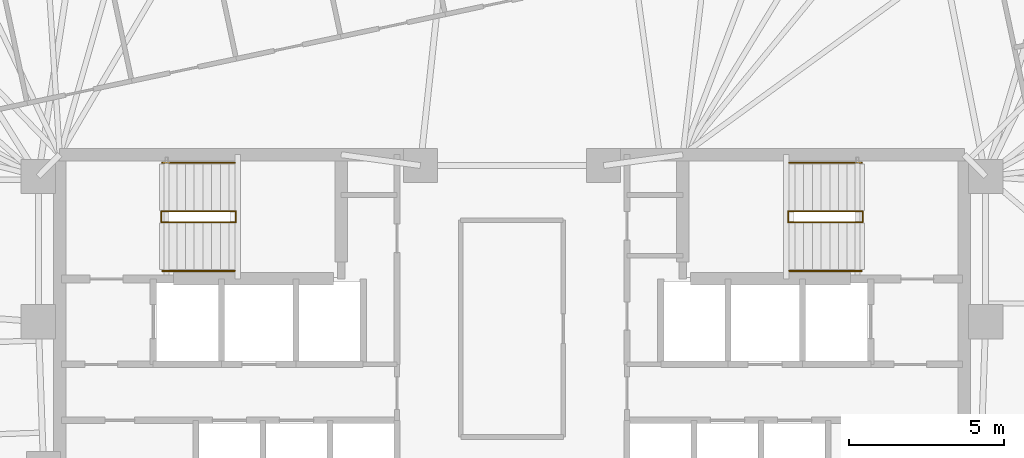
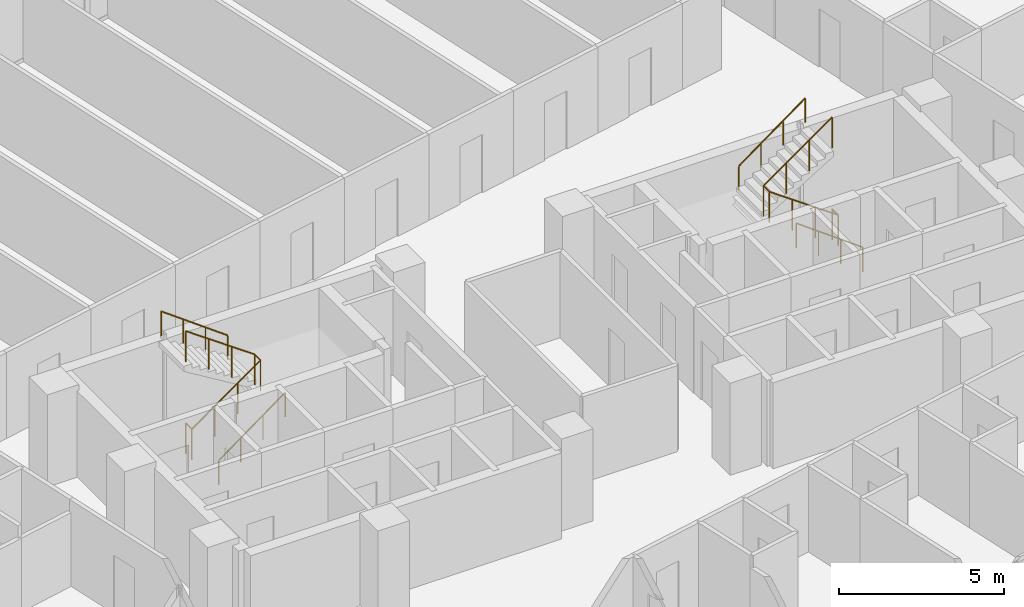
# One storey, part 21 of 21: 6 railings.
"""IFC4 building model written with IfcOpenShell, lengths in metres."""

from ifc_helpers import new_model, si_unit, direction, frame, origin, origin_2d, place, context, subcontext, project, spatial, circle, extrude, material, type_object, element, save


model = new_model("IFC4")

# Units and contexts
model_context = context("Model", 3, precision=1e-05, world=origin(), true_north=direction((0.0, 1.0)))
body_context = subcontext(model_context, "Body", "Model", "MODEL_VIEW")
ifc_project = project(units=[si_unit("LENGTHUNIT", "METRE"), si_unit("AREAUNIT", "SQUARE_METRE"), si_unit("VOLUMEUNIT", "CUBIC_METRE"), si_unit("PLANEANGLEUNIT", "RADIAN"), si_unit("MASSUNIT", "GRAM", prefix="KILO")], contexts=[model_context])

# Site, building, storey
site_placement = place(None, origin())
site = spatial("IfcSite", under=ifc_project, at=site_placement, CompositionType="ELEMENT")
building_placement = place(site_placement, origin())
building = spatial("IfcBuilding", under=site, at=building_placement, Name="Menara Jurai Vektor", CompositionType="ELEMENT")
storey_placement = place(building_placement, frame((0.0, 0.0, 168.39990234375)))
storey = spatial("IfcBuildingStorey", under=building, at=storey_placement, Name="L43", CompositionType="ELEMENT", Elevation=168.39990234375)

# Railings
ifc_material_1 = material(Name="Painted Galvanised Steel Balustrade", Category="steel")
railing_type_1 = type_object("IfcRailingType", Name="RAIL-STAIR-GUARD", PredefinedType="GUARDRAIL", material=ifc_material_1)
railing_1_placement = place(storey_placement, frame((-11.2900390625, 3.780029296875, 0.0)))
element("IfcRailing", 1, at=railing_1_placement, inside=storey, type_object=railing_type_1, Name="ST1 Stair Guardrail 1 L43", PredefinedType="GUARDRAIL", context=body_context, shape_type="SweptSolid", body=[
    extrude(circle(Radius=0.02392578125, at=origin_2d()), frame((0.0, 0.0, 1.1259765625), z_axis=(0.0, -1.0, 0.0), x_axis=(1.0, 0.0, 0.0)), (0.0, 0.0, 1.0), 0.360107421875),
    extrude(circle(Radius=0.02392578125, at=origin_2d()), frame((0.0, -0.360107421875, 1.1259765625), z_axis=(0.816009799251, 0.0, 0.57803806754), x_axis=(0.0, 1.0, 0.0)), (0.0, 0.0, 1.0), 2.94140625),
    extrude(circle(Radius=0.02392578125, at=origin_2d()), frame((2.400146484375, -0.360107421875, 2.826171875), z_axis=(0.0, 1.0, 0.0), x_axis=(-1.0, 0.0, 0.0)), (0.0, 0.0, 1.0), 0.360107421875),
    extrude(circle(Radius=0.02392578125, at=origin_2d()), frame((2.400146484375, 0.0, 2.826171875), z_axis=(-0.816048950856, 0.0, 0.577982793694), x_axis=(0.0, -1.0, 0.0)), (0.0, 0.0, 1.0), 2.941162109375),
    extrude(circle(Radius=0.02099609375, at=origin_2d()), origin(), (0.0, 0.0, 1.0), 1.101806640625),
    extrude(circle(Radius=0.02099609375, at=origin_2d()), frame((0.0, -0.360107421875, 0.0)), (0.0, 0.0, 1.0), 1.101806640625),
    extrude(circle(Radius=0.02099609375, at=origin_2d()), frame((0.800048828125, -0.360107421875, 0.566650390625)), (0.0, 0.0, 1.0), 1.101806640625),
    extrude(circle(Radius=0.02099609375, at=origin_2d()), frame((1.60009765625, -0.360107421875, 1.133544921875)), (0.0, 0.0, 1.0), 1.101806640625),
    extrude(circle(Radius=0.02099609375, at=origin_2d()), frame((2.400146484375, -0.360107421875, 1.7001953125)), (0.0, 0.0, 1.0), 1.101806640625),
    extrude(circle(Radius=0.02099609375, at=origin_2d()), frame((2.400146484375, 0.0, 1.7001953125)), (0.0, 0.0, 1.0), 1.101806640625),
    extrude(circle(Radius=0.02099609375, at=origin_2d()), frame((1.60009765625, 0.0, 2.266845703125)), (0.0, 0.0, 1.0), 1.101806640625),
    extrude(circle(Radius=0.02099609375, at=origin_2d()), frame((0.800048828125, 0.0, 2.83349609375)), (0.0, 0.0, 1.0), 1.101806640625),
    extrude(circle(Radius=0.02099609375, at=origin_2d()), frame((0.0, 0.0, 3.400146484375)), (0.0, 0.0, 1.0), 1.101806640625),
])
railing_2_placement = place(storey_placement, frame((11.2900390625, 3.780029296875, 0.0)))
element("IfcRailing", 2, at=railing_2_placement, inside=storey, type_object=railing_type_1, Name="ST2 Stair Guardrail 1 L43", PredefinedType="GUARDRAIL", context=body_context, shape_type="SweptSolid", body=[
    extrude(circle(Radius=0.02392578125, at=origin_2d()), frame((0.0, 0.0, 1.1259765625), z_axis=(0.0, -1.0, 0.0), x_axis=(1.0, 0.0, 0.0)), (0.0, 0.0, 1.0), 0.360107421875),
    extrude(circle(Radius=0.02392578125, at=origin_2d()), frame((0.0, -0.360107421875, 1.1259765625), z_axis=(-0.816009799251, 0.0, 0.57803806754), x_axis=(0.0, -1.0, 0.0)), (0.0, 0.0, 1.0), 2.94140625),
    extrude(circle(Radius=0.02392578125, at=origin_2d()), frame((-2.400146484375, -0.360107421875, 2.826171875), z_axis=(0.0, 1.0, 0.0), x_axis=(-1.0, 0.0, 0.0)), (0.0, 0.0, 1.0), 0.360107421875),
    extrude(circle(Radius=0.02392578125, at=origin_2d()), frame((-2.400146484375, 0.0, 2.826171875), z_axis=(0.816048950856, 0.0, 0.577982793694), x_axis=(0.0, 1.0, 0.0)), (0.0, 0.0, 1.0), 2.941162109375),
    extrude(circle(Radius=0.02099609375, at=origin_2d()), origin(), (0.0, 0.0, 1.0), 1.101806640625),
    extrude(circle(Radius=0.02099609375, at=origin_2d()), frame((0.0, -0.360107421875, 0.0)), (0.0, 0.0, 1.0), 1.101806640625),
    extrude(circle(Radius=0.02099609375, at=origin_2d()), frame((-0.800048828125, -0.360107421875, 0.566650390625)), (0.0, 0.0, 1.0), 1.101806640625),
    extrude(circle(Radius=0.02099609375, at=origin_2d()), frame((-1.60009765625, -0.360107421875, 1.133544921875)), (0.0, 0.0, 1.0), 1.101806640625),
    extrude(circle(Radius=0.02099609375, at=origin_2d()), frame((-2.400146484375, -0.360107421875, 1.7001953125)), (0.0, 0.0, 1.0), 1.101806640625),
    extrude(circle(Radius=0.02099609375, at=origin_2d()), frame((-2.400146484375, 0.0, 1.7001953125)), (0.0, 0.0, 1.0), 1.101806640625),
    extrude(circle(Radius=0.02099609375, at=origin_2d()), frame((-1.60009765625, 0.0, 2.266845703125)), (0.0, 0.0, 1.0), 1.101806640625),
    extrude(circle(Radius=0.02099609375, at=origin_2d()), frame((-0.800048828125, 0.0, 2.83349609375)), (0.0, 0.0, 1.0), 1.101806640625),
    extrude(circle(Radius=0.02099609375, at=origin_2d()), frame((0.0, 0.0, 3.400146484375)), (0.0, 0.0, 1.0), 1.101806640625),
])
ifc_material_2 = material(Name="Brushed Stainless Steel Handrail", Category="steel")
railing_type_2 = type_object("IfcRailingType", Name="RAIL-STAIR-HAND", PredefinedType="HANDRAIL", material=ifc_material_2)
railing_3_placement = place(storey_placement, frame((-11.25, 1.860107421875, 0.0)))
element("IfcRailing", 3, at=railing_3_placement, inside=storey, type_object=railing_type_2, Name="ST1 Stair Handrail 1 L43", PredefinedType="HANDRAIL", context=body_context, shape_type="SweptSolid", body=[
    extrude(circle(Radius=0.02392578125, at=origin_2d()), frame((0.0, 0.0, 0.89599609375), z_axis=(0.806601938303, 0.0, 0.591095011927), x_axis=(0.0, 1.0, 0.0)), (0.0, 0.0, 1.0), 2.87646484375),
    extrude(circle(Radius=0.02099609375, at=origin_2d()), origin(), (0.0, 0.0, 1.0), 0.871826171875),
    extrude(circle(Radius=0.02099609375, at=origin_2d()), frame((0.7734375, 0.0, 0.566650390625)), (0.0, 0.0, 1.0), 0.871826171875),
    extrude(circle(Radius=0.02099609375, at=origin_2d()), frame((1.546630859375, 0.0, 1.133544921875)), (0.0, 0.0, 1.0), 0.871826171875),
    extrude(circle(Radius=0.02099609375, at=origin_2d()), frame((2.320068359375, 0.0, 1.7001953125)), (0.0, 0.0, 1.0), 0.871826171875),
])
railing_4_placement = place(storey_placement, frame((-8.929931640625, 5.340087890625, 1.7001953125)))
element("IfcRailing", 4, at=railing_4_placement, inside=storey, type_object=railing_type_2, Name="ST1 Stair Handrail 2 L43", PredefinedType="HANDRAIL", context=body_context, shape_type="SweptSolid", body=[
    extrude(circle(Radius=0.02392578125, at=origin_2d()), frame((0.0, 0.0, 0.89599609375), z_axis=(-0.806642406755, 0.0, 0.591039785145), x_axis=(0.0, -1.0, 0.0)), (0.0, 0.0, 1.0), 2.876220703125),
    extrude(circle(Radius=0.02099609375, at=origin_2d()), origin(), (0.0, 0.0, 1.0), 0.871826171875),
    extrude(circle(Radius=0.02099609375, at=origin_2d()), frame((-0.7734375, 0.0, 0.566650390625)), (0.0, 0.0, 1.0), 0.871826171875),
    extrude(circle(Radius=0.02099609375, at=origin_2d()), frame((-1.546630859375, 0.0, 1.13330078125)), (0.0, 0.0, 1.0), 0.871826171875),
    extrude(circle(Radius=0.02099609375, at=origin_2d()), frame((-2.320068359375, 0.0, 1.699951171875)), (0.0, 0.0, 1.0), 0.871826171875),
])
railing_5_placement = place(storey_placement, frame((11.25, 1.860107421875, 0.0)))
element("IfcRailing", 5, at=railing_5_placement, inside=storey, type_object=railing_type_2, Name="ST2 Stair Handrail 1 L43", PredefinedType="HANDRAIL", context=body_context, shape_type="SweptSolid", body=[
    extrude(circle(Radius=0.02392578125, at=origin_2d()), frame((0.0, 0.0, 0.89599609375), z_axis=(-0.806601938303, 0.0, 0.591095011927), x_axis=(0.0, -1.0, 0.0)), (0.0, 0.0, 1.0), 2.87646484375),
    extrude(circle(Radius=0.02099609375, at=origin_2d()), origin(), (0.0, 0.0, 1.0), 0.871826171875),
    extrude(circle(Radius=0.02099609375, at=origin_2d()), frame((-0.7734375, 0.0, 0.566650390625)), (0.0, 0.0, 1.0), 0.871826171875),
    extrude(circle(Radius=0.02099609375, at=origin_2d()), frame((-1.546630859375, 0.0, 1.133544921875)), (0.0, 0.0, 1.0), 0.871826171875),
    extrude(circle(Radius=0.02099609375, at=origin_2d()), frame((-2.320068359375, 0.0, 1.7001953125)), (0.0, 0.0, 1.0), 0.871826171875),
])
railing_6_placement = place(storey_placement, frame((8.929931640625, 5.340087890625, 1.7001953125)))
element("IfcRailing", 6, at=railing_6_placement, inside=storey, type_object=railing_type_2, Name="ST2 Stair Handrail 2 L43", PredefinedType="HANDRAIL", context=body_context, shape_type="SweptSolid", body=[
    extrude(circle(Radius=0.02392578125, at=origin_2d()), frame((0.0, 0.0, 0.89599609375), z_axis=(0.806642406755, 0.0, 0.591039785145), x_axis=(0.0, 1.0, 0.0)), (0.0, 0.0, 1.0), 2.876220703125),
    extrude(circle(Radius=0.02099609375, at=origin_2d()), origin(), (0.0, 0.0, 1.0), 0.871826171875),
    extrude(circle(Radius=0.02099609375, at=origin_2d()), frame((0.7734375, 0.0, 0.566650390625)), (0.0, 0.0, 1.0), 0.871826171875),
    extrude(circle(Radius=0.02099609375, at=origin_2d()), frame((1.546630859375, 0.0, 1.13330078125)), (0.0, 0.0, 1.0), 0.871826171875),
    extrude(circle(Radius=0.02099609375, at=origin_2d()), frame((2.320068359375, 0.0, 1.699951171875)), (0.0, 0.0, 1.0), 0.871826171875),
])

save(model, "model.ifc")
